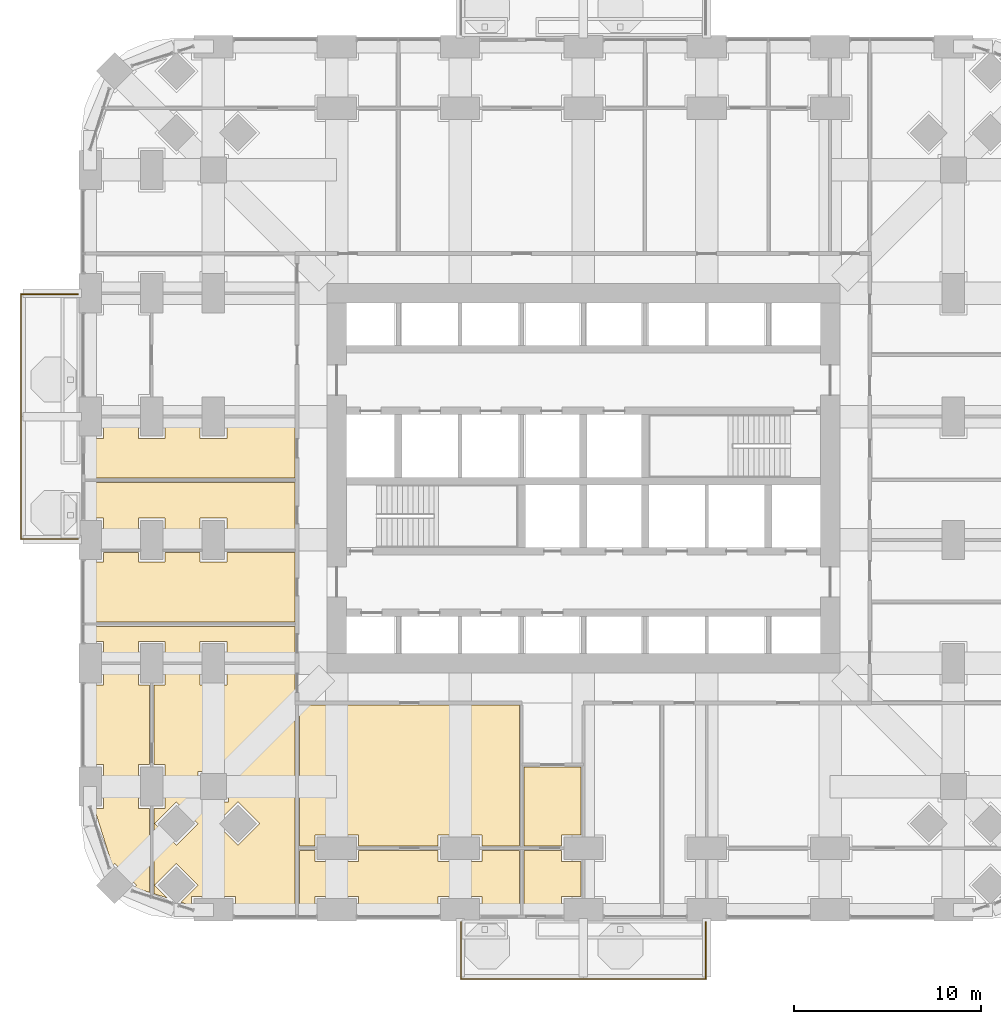
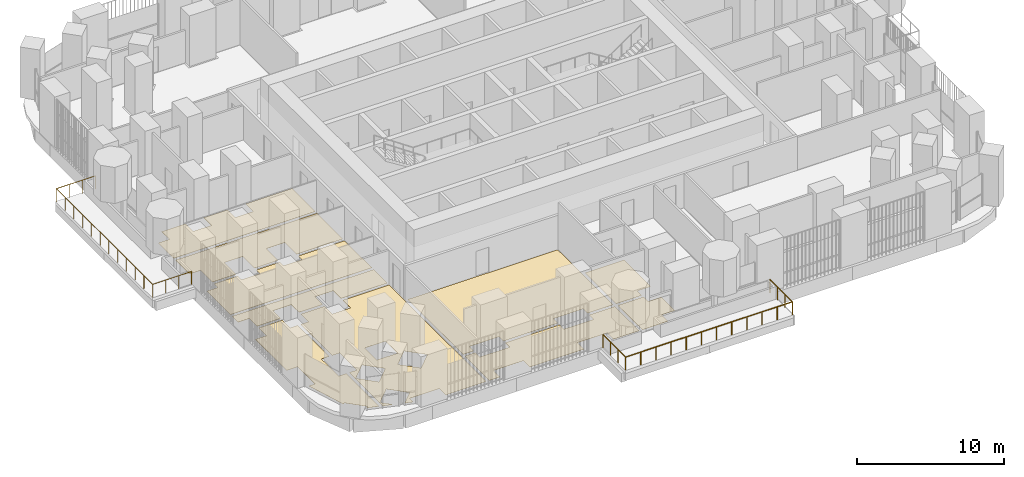
# One storey, part 22 of 26: 10 coverings, 2 railings.
"""IFC4 building model written with IfcOpenShell, lengths in metres."""

from ifc_helpers import new_model, si_unit, direction, frame, origin, place, context, subcontext, project, spatial, polyline, outline, extrude, material, layer, layer_set, type_object, element, save


model = new_model("IFC4")

# Units and contexts
model_context = context("Model", 3, precision=1e-05, world=origin(), true_north=direction((0.0, 1.0)))
body_context = subcontext(model_context, "Body", "Model", "MODEL_VIEW")
ifc_project = project(units=[si_unit("LENGTHUNIT", "METRE"), si_unit("AREAUNIT", "SQUARE_METRE"), si_unit("VOLUMEUNIT", "CUBIC_METRE"), si_unit("PLANEANGLEUNIT", "RADIAN"), si_unit("MASSUNIT", "GRAM", prefix="KILO")], contexts=[model_context])

# Site, building, storey
site_placement = place(None, origin())
site = spatial("IfcSite", under=ifc_project, at=site_placement, CompositionType="ELEMENT")
building_placement = place(site_placement, origin())
building = spatial("IfcBuilding", under=site, at=building_placement, Name="Cobogo Forest Laboratory Tower", CompositionType="ELEMENT")
storey_placement = place(building_placement, frame((0.0, 0.0, 50.699951171875)))
storey = spatial("IfcBuildingStorey", under=building, at=storey_placement, Name="L11", CompositionType="ELEMENT", Elevation=50.699951171875)

# Railings
ifc_material_1 = material(Name="Laminated glass balustrade", Category="glass")
railing_type = type_object("IfcRailingType", Name="BG1 glass balustrade 1100", PredefinedType="GUARDRAIL", material=ifc_material_1)
railing_1_placement = place(storey_placement, frame((19.85009765625, -0.64990234375, 0.0)))
element("IfcRailing", 1, at=railing_1_placement, inside=storey, type_object=railing_type, Name="Balcony balustrade BAL-S1 L11", PredefinedType="GUARDRAIL", context=body_context, shape_type="SweptSolid", body=[
    extrude(outline(polyline([(0.022216796875, 0.00927734375), (0.00927734375, 0.022216796875), (-0.00927734375, 0.022216796875), (-0.022216796875, 0.00927734375), (-0.022216796875, -0.00927734375), (-0.00927734375, -0.022216796875), (0.00927734375, -0.022216796875), (0.022216796875, -0.00927734375), (0.022216796875, 0.00927734375)])), frame((0.0, 0.0, 1.077880859375), z_axis=(0.0, -1.0, 0.0), x_axis=(1.0, 0.0, 0.0)), (0.0, 0.0, 1.0), 3.050048828125),
    extrude(outline(polyline([(0.022216796875, 0.00927734375), (0.00927734375, 0.022216796875), (-0.00927734375, 0.022216796875), (-0.022216796875, 0.00927734375), (-0.022216796875, -0.00927734375), (-0.00927734375, -0.022216796875), (0.00927734375, -0.022216796875), (0.022216796875, -0.00927734375), (0.022216796875, 0.00927734375)])), frame((0.0, -3.050048828125, 1.077880859375), z_axis=(1.0, 0.0, 0.0), x_axis=(0.0, 1.0, 0.0)), (0.0, 0.0, 1.0), 13.099853515625),
    extrude(outline(polyline([(0.022216796875, 0.00927734375), (0.00927734375, 0.022216796875), (-0.00927734375, 0.022216796875), (-0.022216796875, 0.00927734375), (-0.022216796875, -0.00927734375), (-0.00927734375, -0.022216796875), (0.00927734375, -0.022216796875), (0.022216796875, -0.00927734375), (0.022216796875, 0.00927734375)])), frame((13.099853515625, -3.050048828125, 1.077880859375), z_axis=(0.0, 1.0, 0.0), x_axis=(-1.0, 0.0, 0.0)), (0.0, 0.0, 1.0), 3.050048828125),
    extrude(outline(polyline([(0.019287109375, 0.008056640625), (0.008056640625, 0.019287109375), (-0.008056640625, 0.019287109375), (-0.019287109375, 0.008056640625), (-0.019287109375, -0.008056640625), (-0.008056640625, -0.019287109375), (0.008056640625, -0.019287109375), (0.019287109375, -0.008056640625), (0.019287109375, 0.008056640625)])), origin(), (0.0, 0.0, 1.0), 1.077880859375),
    extrude(outline(polyline([(0.019287109375, 0.008056640625), (0.008056640625, 0.019287109375), (-0.008056640625, 0.019287109375), (-0.019287109375, 0.008056640625), (-0.019287109375, -0.008056640625), (-0.008056640625, -0.019287109375), (0.008056640625, -0.019287109375), (0.019287109375, -0.008056640625), (0.019287109375, 0.008056640625)])), frame((0.0, -1.0166015625, 0.0)), (0.0, 0.0, 1.0), 1.077880859375),
    extrude(outline(polyline([(0.019287109375, 0.008056640625), (0.008056640625, 0.019287109375), (-0.008056640625, 0.019287109375), (-0.019287109375, 0.008056640625), (-0.019287109375, -0.008056640625), (-0.008056640625, -0.019287109375), (0.008056640625, -0.019287109375), (0.019287109375, -0.008056640625), (0.019287109375, 0.008056640625)])), frame((0.0, -2.033447265625, 0.0)), (0.0, 0.0, 1.0), 1.077880859375),
    extrude(outline(polyline([(0.019287109375, 0.008056640625), (0.008056640625, 0.019287109375), (-0.008056640625, 0.019287109375), (-0.019287109375, 0.008056640625), (-0.019287109375, -0.008056640625), (-0.008056640625, -0.019287109375), (0.008056640625, -0.019287109375), (0.019287109375, -0.008056640625), (0.019287109375, 0.008056640625)])), frame((0.0, -3.050048828125, 0.0)), (0.0, 0.0, 1.0), 1.077880859375),
    extrude(outline(polyline([(0.019287109375, 0.008056640625), (0.008056640625, 0.019287109375), (-0.008056640625, 0.019287109375), (-0.019287109375, 0.008056640625), (-0.019287109375, -0.008056640625), (-0.008056640625, -0.019287109375), (0.008056640625, -0.019287109375), (0.019287109375, -0.008056640625), (0.019287109375, 0.008056640625)])), frame((1.19091796875, -3.050048828125, 0.0)), (0.0, 0.0, 1.0), 1.077880859375),
    extrude(outline(polyline([(0.019287109375, 0.008056640625), (0.008056640625, 0.019287109375), (-0.008056640625, 0.019287109375), (-0.019287109375, 0.008056640625), (-0.019287109375, -0.008056640625), (-0.008056640625, -0.019287109375), (0.008056640625, -0.019287109375), (0.019287109375, -0.008056640625), (0.019287109375, 0.008056640625)])), frame((2.3818359375, -3.050048828125, 0.0)), (0.0, 0.0, 1.0), 1.077880859375),
    extrude(outline(polyline([(0.019287109375, 0.008056640625), (0.008056640625, 0.019287109375), (-0.008056640625, 0.019287109375), (-0.019287109375, 0.008056640625), (-0.019287109375, -0.008056640625), (-0.008056640625, -0.019287109375), (0.008056640625, -0.019287109375), (0.019287109375, -0.008056640625), (0.019287109375, 0.008056640625)])), frame((3.57275390625, -3.050048828125, 0.0)), (0.0, 0.0, 1.0), 1.077880859375),
    extrude(outline(polyline([(0.019287109375, 0.008056640625), (0.008056640625, 0.019287109375), (-0.008056640625, 0.019287109375), (-0.019287109375, 0.008056640625), (-0.019287109375, -0.008056640625), (-0.008056640625, -0.019287109375), (0.008056640625, -0.019287109375), (0.019287109375, -0.008056640625), (0.019287109375, 0.008056640625)])), frame((4.763671875, -3.050048828125, 0.0)), (0.0, 0.0, 1.0), 1.077880859375),
    extrude(outline(polyline([(0.019287109375, 0.008056640625), (0.008056640625, 0.019287109375), (-0.008056640625, 0.019287109375), (-0.019287109375, 0.008056640625), (-0.019287109375, -0.008056640625), (-0.008056640625, -0.019287109375), (0.008056640625, -0.019287109375), (0.019287109375, -0.008056640625), (0.019287109375, 0.008056640625)])), frame((5.95458984375, -3.050048828125, 0.0)), (0.0, 0.0, 1.0), 1.077880859375),
    extrude(outline(polyline([(0.019287109375, 0.008056640625), (0.008056640625, 0.019287109375), (-0.008056640625, 0.019287109375), (-0.019287109375, 0.008056640625), (-0.019287109375, -0.008056640625), (-0.008056640625, -0.019287109375), (0.008056640625, -0.019287109375), (0.019287109375, -0.008056640625), (0.019287109375, 0.008056640625)])), frame((7.145263671875, -3.050048828125, 0.0)), (0.0, 0.0, 1.0), 1.077880859375),
    extrude(outline(polyline([(0.019287109375, 0.008056640625), (0.008056640625, 0.019287109375), (-0.008056640625, 0.019287109375), (-0.019287109375, 0.008056640625), (-0.019287109375, -0.008056640625), (-0.008056640625, -0.019287109375), (0.008056640625, -0.019287109375), (0.019287109375, -0.008056640625), (0.019287109375, 0.008056640625)])), frame((8.336181640625, -3.050048828125, 0.0)), (0.0, 0.0, 1.0), 1.077880859375),
    extrude(outline(polyline([(0.019287109375, 0.008056640625), (0.008056640625, 0.019287109375), (-0.008056640625, 0.019287109375), (-0.019287109375, 0.008056640625), (-0.019287109375, -0.008056640625), (-0.008056640625, -0.019287109375), (0.008056640625, -0.019287109375), (0.019287109375, -0.008056640625), (0.019287109375, 0.008056640625)])), frame((9.527099609375, -3.050048828125, 0.0)), (0.0, 0.0, 1.0), 1.077880859375),
    extrude(outline(polyline([(0.019287109375, 0.008056640625), (0.008056640625, 0.019287109375), (-0.008056640625, 0.019287109375), (-0.019287109375, 0.008056640625), (-0.019287109375, -0.008056640625), (-0.008056640625, -0.019287109375), (0.008056640625, -0.019287109375), (0.019287109375, -0.008056640625), (0.019287109375, 0.008056640625)])), frame((10.718017578125, -3.050048828125, 0.0)), (0.0, 0.0, 1.0), 1.077880859375),
    extrude(outline(polyline([(0.019287109375, 0.008056640625), (0.008056640625, 0.019287109375), (-0.008056640625, 0.019287109375), (-0.019287109375, 0.008056640625), (-0.019287109375, -0.008056640625), (-0.008056640625, -0.019287109375), (0.008056640625, -0.019287109375), (0.019287109375, -0.008056640625), (0.019287109375, 0.008056640625)])), frame((11.908935546875, -3.050048828125, 0.0)), (0.0, 0.0, 1.0), 1.077880859375),
    extrude(outline(polyline([(0.019287109375, 0.008056640625), (0.008056640625, 0.019287109375), (-0.008056640625, 0.019287109375), (-0.019287109375, 0.008056640625), (-0.019287109375, -0.008056640625), (-0.008056640625, -0.019287109375), (0.008056640625, -0.019287109375), (0.019287109375, -0.008056640625), (0.019287109375, 0.008056640625)])), frame((13.099853515625, -3.050048828125, 0.0)), (0.0, 0.0, 1.0), 1.077880859375),
    extrude(outline(polyline([(0.019287109375, 0.008056640625), (0.008056640625, 0.019287109375), (-0.008056640625, 0.019287109375), (-0.019287109375, 0.008056640625), (-0.019287109375, -0.008056640625), (-0.008056640625, -0.019287109375), (0.008056640625, -0.019287109375), (0.019287109375, -0.008056640625), (0.019287109375, 0.008056640625)])), frame((13.099853515625, -2.033447265625, 0.0)), (0.0, 0.0, 1.0), 1.077880859375),
    extrude(outline(polyline([(0.019287109375, 0.008056640625), (0.008056640625, 0.019287109375), (-0.008056640625, 0.019287109375), (-0.019287109375, 0.008056640625), (-0.019287109375, -0.008056640625), (-0.008056640625, -0.019287109375), (0.008056640625, -0.019287109375), (0.019287109375, -0.008056640625), (0.019287109375, 0.008056640625)])), frame((13.099853515625, -1.0166015625, 0.0)), (0.0, 0.0, 1.0), 1.077880859375),
    extrude(outline(polyline([(0.019287109375, 0.008056640625), (0.008056640625, 0.019287109375), (-0.008056640625, 0.019287109375), (-0.019287109375, 0.008056640625), (-0.019287109375, -0.008056640625), (-0.008056640625, -0.019287109375), (0.008056640625, -0.019287109375), (0.019287109375, -0.008056640625), (0.019287109375, 0.008056640625)])), frame((13.099853515625, 0.0, 0.0)), (0.0, 0.0, 1.0), 1.077880859375),
])
railing_2_placement = place(storey_placement, frame((-0.64990234375, 19.85009765625, 0.0)))
element("IfcRailing", 2, at=railing_2_placement, inside=storey, type_object=railing_type, Name="Balcony balustrade BAL-W1 L11", PredefinedType="GUARDRAIL", context=body_context, shape_type="SweptSolid", body=[
    extrude(outline(polyline([(0.022216796875, 0.00927734375), (0.00927734375, 0.022216796875), (-0.00927734375, 0.022216796875), (-0.022216796875, 0.00927734375), (-0.022216796875, -0.00927734375), (-0.00927734375, -0.022216796875), (0.00927734375, -0.022216796875), (0.022216796875, -0.00927734375), (0.022216796875, 0.00927734375)])), frame((0.0, 0.0, 1.077880859375), z_axis=(-1.0, 0.0, 0.0), x_axis=(0.0, -1.0, 0.0)), (0.0, 0.0, 1.0), 3.050048828125),
    extrude(outline(polyline([(0.022216796875, 0.00927734375), (0.00927734375, 0.022216796875), (-0.00927734375, 0.022216796875), (-0.022216796875, 0.00927734375), (-0.022216796875, -0.00927734375), (-0.00927734375, -0.022216796875), (0.00927734375, -0.022216796875), (0.022216796875, -0.00927734375), (0.022216796875, 0.00927734375)])), frame((-3.050048828125, 0.0, 1.077880859375), z_axis=(0.0, 1.0, 0.0), x_axis=(-1.0, 0.0, 0.0)), (0.0, 0.0, 1.0), 13.099853515625),
    extrude(outline(polyline([(0.022216796875, 0.00927734375), (0.00927734375, 0.022216796875), (-0.00927734375, 0.022216796875), (-0.022216796875, 0.00927734375), (-0.022216796875, -0.00927734375), (-0.00927734375, -0.022216796875), (0.00927734375, -0.022216796875), (0.022216796875, -0.00927734375), (0.022216796875, 0.00927734375)])), frame((-3.050048828125, 13.099853515625, 1.077880859375), z_axis=(1.0, 0.0, 0.0), x_axis=(0.0, 1.0, 0.0)), (0.0, 0.0, 1.0), 3.050048828125),
    extrude(outline(polyline([(0.019287109375, 0.008056640625), (0.008056640625, 0.019287109375), (-0.008056640625, 0.019287109375), (-0.019287109375, 0.008056640625), (-0.019287109375, -0.008056640625), (-0.008056640625, -0.019287109375), (0.008056640625, -0.019287109375), (0.019287109375, -0.008056640625), (0.019287109375, 0.008056640625)])), origin(), (0.0, 0.0, 1.0), 1.077880859375),
    extrude(outline(polyline([(0.019287109375, 0.008056640625), (0.008056640625, 0.019287109375), (-0.008056640625, 0.019287109375), (-0.019287109375, 0.008056640625), (-0.019287109375, -0.008056640625), (-0.008056640625, -0.019287109375), (0.008056640625, -0.019287109375), (0.019287109375, -0.008056640625), (0.019287109375, 0.008056640625)])), frame((-1.0166015625, 0.0, 0.0)), (0.0, 0.0, 1.0), 1.077880859375),
    extrude(outline(polyline([(0.019287109375, 0.008056640625), (0.008056640625, 0.019287109375), (-0.008056640625, 0.019287109375), (-0.019287109375, 0.008056640625), (-0.019287109375, -0.008056640625), (-0.008056640625, -0.019287109375), (0.008056640625, -0.019287109375), (0.019287109375, -0.008056640625), (0.019287109375, 0.008056640625)])), frame((-2.033447265625, 0.0, 0.0)), (0.0, 0.0, 1.0), 1.077880859375),
    extrude(outline(polyline([(0.019287109375, 0.008056640625), (0.008056640625, 0.019287109375), (-0.008056640625, 0.019287109375), (-0.019287109375, 0.008056640625), (-0.019287109375, -0.008056640625), (-0.008056640625, -0.019287109375), (0.008056640625, -0.019287109375), (0.019287109375, -0.008056640625), (0.019287109375, 0.008056640625)])), frame((-3.050048828125, 0.0, 0.0)), (0.0, 0.0, 1.0), 1.077880859375),
    extrude(outline(polyline([(0.019287109375, 0.008056640625), (0.008056640625, 0.019287109375), (-0.008056640625, 0.019287109375), (-0.019287109375, 0.008056640625), (-0.019287109375, -0.008056640625), (-0.008056640625, -0.019287109375), (0.008056640625, -0.019287109375), (0.019287109375, -0.008056640625), (0.019287109375, 0.008056640625)])), frame((-3.050048828125, 1.19091796875, 0.0)), (0.0, 0.0, 1.0), 1.077880859375),
    extrude(outline(polyline([(0.019287109375, 0.008056640625), (0.008056640625, 0.019287109375), (-0.008056640625, 0.019287109375), (-0.019287109375, 0.008056640625), (-0.019287109375, -0.008056640625), (-0.008056640625, -0.019287109375), (0.008056640625, -0.019287109375), (0.019287109375, -0.008056640625), (0.019287109375, 0.008056640625)])), frame((-3.050048828125, 2.3818359375, 0.0)), (0.0, 0.0, 1.0), 1.077880859375),
    extrude(outline(polyline([(0.019287109375, 0.008056640625), (0.008056640625, 0.019287109375), (-0.008056640625, 0.019287109375), (-0.019287109375, 0.008056640625), (-0.019287109375, -0.008056640625), (-0.008056640625, -0.019287109375), (0.008056640625, -0.019287109375), (0.019287109375, -0.008056640625), (0.019287109375, 0.008056640625)])), frame((-3.050048828125, 3.57275390625, 0.0)), (0.0, 0.0, 1.0), 1.077880859375),
    extrude(outline(polyline([(0.019287109375, 0.008056640625), (0.008056640625, 0.019287109375), (-0.008056640625, 0.019287109375), (-0.019287109375, 0.008056640625), (-0.019287109375, -0.008056640625), (-0.008056640625, -0.019287109375), (0.008056640625, -0.019287109375), (0.019287109375, -0.008056640625), (0.019287109375, 0.008056640625)])), frame((-3.050048828125, 4.763671875, 0.0)), (0.0, 0.0, 1.0), 1.077880859375),
    extrude(outline(polyline([(0.019287109375, 0.008056640625), (0.008056640625, 0.019287109375), (-0.008056640625, 0.019287109375), (-0.019287109375, 0.008056640625), (-0.019287109375, -0.008056640625), (-0.008056640625, -0.019287109375), (0.008056640625, -0.019287109375), (0.019287109375, -0.008056640625), (0.019287109375, 0.008056640625)])), frame((-3.050048828125, 5.95458984375, 0.0)), (0.0, 0.0, 1.0), 1.077880859375),
    extrude(outline(polyline([(0.019287109375, 0.008056640625), (0.008056640625, 0.019287109375), (-0.008056640625, 0.019287109375), (-0.019287109375, 0.008056640625), (-0.019287109375, -0.008056640625), (-0.008056640625, -0.019287109375), (0.008056640625, -0.019287109375), (0.019287109375, -0.008056640625), (0.019287109375, 0.008056640625)])), frame((-3.050048828125, 7.145263671875, 0.0)), (0.0, 0.0, 1.0), 1.077880859375),
    extrude(outline(polyline([(0.019287109375, 0.008056640625), (0.008056640625, 0.019287109375), (-0.008056640625, 0.019287109375), (-0.019287109375, 0.008056640625), (-0.019287109375, -0.008056640625), (-0.008056640625, -0.019287109375), (0.008056640625, -0.019287109375), (0.019287109375, -0.008056640625), (0.019287109375, 0.008056640625)])), frame((-3.050048828125, 8.336181640625, 0.0)), (0.0, 0.0, 1.0), 1.077880859375),
    extrude(outline(polyline([(0.019287109375, 0.008056640625), (0.008056640625, 0.019287109375), (-0.008056640625, 0.019287109375), (-0.019287109375, 0.008056640625), (-0.019287109375, -0.008056640625), (-0.008056640625, -0.019287109375), (0.008056640625, -0.019287109375), (0.019287109375, -0.008056640625), (0.019287109375, 0.008056640625)])), frame((-3.050048828125, 9.527099609375, 0.0)), (0.0, 0.0, 1.0), 1.077880859375),
    extrude(outline(polyline([(0.019287109375, 0.008056640625), (0.008056640625, 0.019287109375), (-0.008056640625, 0.019287109375), (-0.019287109375, 0.008056640625), (-0.019287109375, -0.008056640625), (-0.008056640625, -0.019287109375), (0.008056640625, -0.019287109375), (0.019287109375, -0.008056640625), (0.019287109375, 0.008056640625)])), frame((-3.050048828125, 10.718017578125, 0.0)), (0.0, 0.0, 1.0), 1.077880859375),
    extrude(outline(polyline([(0.019287109375, 0.008056640625), (0.008056640625, 0.019287109375), (-0.008056640625, 0.019287109375), (-0.019287109375, 0.008056640625), (-0.019287109375, -0.008056640625), (-0.008056640625, -0.019287109375), (0.008056640625, -0.019287109375), (0.019287109375, -0.008056640625), (0.019287109375, 0.008056640625)])), frame((-3.050048828125, 11.908935546875, 0.0)), (0.0, 0.0, 1.0), 1.077880859375),
    extrude(outline(polyline([(0.019287109375, 0.008056640625), (0.008056640625, 0.019287109375), (-0.008056640625, 0.019287109375), (-0.019287109375, 0.008056640625), (-0.019287109375, -0.008056640625), (-0.008056640625, -0.019287109375), (0.008056640625, -0.019287109375), (0.019287109375, -0.008056640625), (0.019287109375, 0.008056640625)])), frame((-3.050048828125, 13.099853515625, 0.0)), (0.0, 0.0, 1.0), 1.077880859375),
    extrude(outline(polyline([(0.019287109375, 0.008056640625), (0.008056640625, 0.019287109375), (-0.008056640625, 0.019287109375), (-0.019287109375, 0.008056640625), (-0.019287109375, -0.008056640625), (-0.008056640625, -0.019287109375), (0.008056640625, -0.019287109375), (0.019287109375, -0.008056640625), (0.019287109375, 0.008056640625)])), frame((-2.033447265625, 13.099853515625, 0.0)), (0.0, 0.0, 1.0), 1.077880859375),
    extrude(outline(polyline([(0.019287109375, 0.008056640625), (0.008056640625, 0.019287109375), (-0.008056640625, 0.019287109375), (-0.019287109375, 0.008056640625), (-0.019287109375, -0.008056640625), (-0.008056640625, -0.019287109375), (0.008056640625, -0.019287109375), (0.019287109375, -0.008056640625), (0.019287109375, 0.008056640625)])), frame((-1.0166015625, 13.099853515625, 0.0)), (0.0, 0.0, 1.0), 1.077880859375),
    extrude(outline(polyline([(0.019287109375, 0.008056640625), (0.008056640625, 0.019287109375), (-0.008056640625, 0.019287109375), (-0.019287109375, 0.008056640625), (-0.019287109375, -0.008056640625), (-0.008056640625, -0.019287109375), (0.008056640625, -0.019287109375), (0.019287109375, -0.008056640625), (0.019287109375, 0.008056640625)])), frame((0.0, 13.099853515625, 0.0)), (0.0, 0.0, 1.0), 1.077880859375),
])

# Coverings
ifc_material_2 = material(Name="Carpet tile on raised access floor", Category="flooring")
ifc_layer_1 = layer(ifc_material_2, 0.008056640625)
ifc_layer_set_1 = layer_set([ifc_layer_1], Name="CT1 carpet tile floor 8")
covering_type_1 = type_object("IfcCoveringType", Name="CT1 carpet tile floor 8", PredefinedType="FLOORING", material=ifc_layer_set_1)
covering_1_placement = place(storey_placement, origin())
element("IfcCovering", 3, at=covering_1_placement, inside=storey, type_object=covering_type_1, Name="Carpet floor L11-02", PredefinedType="FLOORING", context=body_context, shape_type="SweptSolid", body=[
    extrude(outline(polyline([(12.030029296875, 3.179931640625), (12.030029296875, 2.580078125), (14.3701171875, 2.580078125), (14.3701171875, 3.179931640625), (18.6298828125, 3.179931640625), (18.6298828125, 2.580078125), (20.969970703125, 2.580078125), (20.969970703125, 3.179931640625), (22.97998046875, 3.179931640625), (22.97998046875, -0.14990234375), (20.969970703125, -0.14990234375), (20.969970703125, 0.719970703125), (18.6298828125, 0.719970703125), (18.6298828125, -0.14990234375), (14.3701171875, -0.14990234375), (14.3701171875, 0.719970703125), (12.030029296875, 0.719970703125), (12.030029296875, -0.14990234375), (11.195068359375, -0.14990234375), (11.195068359375, 3.179931640625), (12.030029296875, 3.179931640625)])), origin(), (0.0, 0.0, 1.0), 0.008056640625),
])
covering_2_placement = place(storey_placement, origin())
element("IfcCovering", 4, at=covering_2_placement, inside=storey, type_object=covering_type_1, Name="Carpet floor L11-04", PredefinedType="FLOORING", context=body_context, shape_type="SweptSolid", body=[
    extrude(outline(polyline([(25.22998046875, 3.179931640625), (25.22998046875, 2.580078125), (26.280029296875, 2.580078125), (26.280029296875, 0.719970703125), (25.22998046875, 0.719970703125), (25.22998046875, -0.14990234375), (23.219970703125, -0.14990234375), (23.219970703125, 3.179931640625), (25.22998046875, 3.179931640625)])), origin(), (0.0, 0.0, 1.0), 0.008056640625),
])
covering_3_placement = place(storey_placement, origin())
element("IfcCovering", 5, at=covering_3_placement, inside=storey, type_object=covering_type_1, Name="Carpet floor L11-29", PredefinedType="FLOORING", context=body_context, shape_type="SweptSolid", body=[
    extrude(outline(polyline([(3.179931640625, 7.77001953125), (2.580078125, 7.77001953125), (2.580078125, 5.429931640625), (3.179931640625, 5.429931640625), (3.179931640625, 0.939697265625), (2.358642578125, 1.19921875), (2.477783203125, 1.318115234375), (1.318115234375, 2.477783203125), (1.19921875, 2.358642578125), (0.229248046875, 5.429931640625), (0.719970703125, 5.429931640625), (0.719970703125, 7.77001953125), (-0.14990234375, 7.77001953125), (-0.14990234375, 12.030029296875), (0.719970703125, 12.030029296875), (0.719970703125, 13.080078125), (2.580078125, 13.080078125), (2.580078125, 12.030029296875), (3.179931640625, 12.030029296875), (3.179931640625, 7.77001953125)])), origin(), (0.0, 0.0, 1.0), 0.008056640625),
])
ifc_material_3 = material(Name="Epoxy resin flooring", Category="flooring")
ifc_layer_2 = layer(ifc_material_3, 0.00390625)
ifc_layer_set_2 = layer_set([ifc_layer_2], Name="LF1 epoxy laboratory floor 4")
covering_type_2 = type_object("IfcCoveringType", Name="LF1 epoxy laboratory floor 4", PredefinedType="FLOORING", material=ifc_layer_set_2)
covering_4_placement = place(storey_placement, origin())
element("IfcCovering", 6, at=covering_4_placement, inside=storey, type_object=covering_type_2, Name="Epoxy laboratory floor L11-01", PredefinedType="FLOORING", context=body_context, shape_type="SweptSolid", body=[
    extrude(outline(polyline([(11.195068359375, 10.955078125), (22.97998046875, 10.955078125), (22.97998046875, 3.419921875), (20.969970703125, 3.419921875), (20.969970703125, 4.02001953125), (18.6298828125, 4.02001953125), (18.6298828125, 3.419921875), (14.3701171875, 3.419921875), (14.3701171875, 4.02001953125), (12.030029296875, 4.02001953125), (12.030029296875, 3.419921875), (11.195068359375, 3.419921875), (11.195068359375, 10.955078125)])), origin(), (0.0, 0.0, 1.0), 0.004150390625),
])
covering_5_placement = place(storey_placement, origin())
element("IfcCovering", 7, at=covering_5_placement, inside=storey, type_object=covering_type_2, Name="Epoxy laboratory floor L11-03", PredefinedType="FLOORING", context=body_context, shape_type="SweptSolid", body=[
    extrude(outline(polyline([(23.219970703125, 7.655029296875), (26.280029296875, 7.655029296875), (26.280029296875, 4.02001953125), (25.22998046875, 4.02001953125), (25.22998046875, 3.419921875), (23.219970703125, 3.419921875), (23.219970703125, 7.655029296875)])), origin(), (0.0, 0.0, 1.0), 0.004150390625),
])
covering_6_placement = place(storey_placement, origin())
element("IfcCovering", 8, at=covering_6_placement, inside=storey, type_object=covering_type_2, Name="Epoxy laboratory floor L11-28", PredefinedType="FLOORING", context=body_context, shape_type="SweptSolid", body=[
    extrude(outline(polyline([(5.8798828125, 13.080078125), (5.8798828125, 12.030029296875), (7.320068359375, 12.030029296875), (7.320068359375, 13.080078125), (10.955078125, 13.080078125), (10.955078125, -0.14990234375), (7.77001953125, -0.14990234375), (7.77001953125, 0.719970703125), (5.429931640625, 0.719970703125), (5.429931640625, 0.229248046875), (4.86669921875, 0.406982421875), (5.777587890625, 1.318115234375), (4.617919921875, 2.477783203125), (3.458251953125, 1.318115234375), (4.1396484375, 0.63671875), (3.419921875, 0.864013671875), (3.419921875, 5.429931640625), (4.02001953125, 5.429931640625), (4.02001953125, 7.77001953125), (3.419921875, 7.77001953125), (3.419921875, 12.030029296875), (4.02001953125, 12.030029296875), (4.02001953125, 13.080078125), (5.8798828125, 13.080078125)]), holes=[polyline([(7.91796875, 5.777587890625), (6.75830078125, 4.617919921875), (7.91796875, 3.458251953125), (9.07763671875, 4.617919921875), (7.91796875, 5.777587890625)]), polyline([(5.780029296875, 7.419921875), (5.780029296875, 5.780029296875), (7.419921875, 5.780029296875), (7.419921875, 7.419921875), (5.780029296875, 7.419921875)]), polyline([(3.458251953125, 4.617919921875), (4.617919921875, 3.458251953125), (5.777587890625, 4.617919921875), (4.617919921875, 5.777587890625), (3.458251953125, 4.617919921875)])]), origin(), (0.0, 0.0, 1.0), 0.004150390625),
])
ifc_material_4 = material(Name="Ceramic floor tile", Category="flooring")
ifc_layer_3 = layer(ifc_material_4, 0.010009765625)
ifc_layer_set_3 = layer_set([ifc_layer_3], Name="TF1 ceramic tile floor 10")
covering_type_3 = type_object("IfcCoveringType", Name="TF1 ceramic tile floor 10", PredefinedType="FLOORING", material=ifc_layer_set_3)
covering_7_placement = place(storey_placement, origin())
element("IfcCovering", 9, at=covering_7_placement, inside=storey, type_object=covering_type_3, Name="Tile floor L11-30", PredefinedType="FLOORING", context=body_context, shape_type="SweptSolid", body=[
    extrude(outline(polyline([(10.955078125, 13.320068359375), (7.320068359375, 13.320068359375), (7.320068359375, 14.3701171875), (5.8798828125, 14.3701171875), (5.8798828125, 13.320068359375), (4.02001953125, 13.320068359375), (4.02001953125, 14.3701171875), (2.580078125, 14.3701171875), (2.580078125, 13.320068359375), (0.719970703125, 13.320068359375), (0.719970703125, 14.3701171875), (-0.14990234375, 14.3701171875), (-0.14990234375, 15.179931640625), (10.955078125, 15.179931640625), (10.955078125, 13.320068359375)])), origin(), (0.0, 0.0, 1.0), 0.010009765625),
])
covering_8_placement = place(storey_placement, origin())
element("IfcCovering", 10, at=covering_8_placement, inside=storey, type_object=covering_type_3, Name="Tile floor L11-31", PredefinedType="FLOORING", context=body_context, shape_type="SweptSolid", body=[
    extrude(outline(polyline([(10.955078125, 15.419921875), (-0.14990234375, 15.419921875), (-0.14990234375, 18.6298828125), (0.719970703125, 18.6298828125), (0.719970703125, 19.1298828125), (2.580078125, 19.1298828125), (2.580078125, 18.6298828125), (4.02001953125, 18.6298828125), (4.02001953125, 19.1298828125), (5.8798828125, 19.1298828125), (5.8798828125, 18.6298828125), (7.320068359375, 18.6298828125), (7.320068359375, 19.1298828125), (10.955078125, 19.1298828125), (10.955078125, 15.419921875)])), origin(), (0.0, 0.0, 1.0), 0.010009765625),
])
covering_9_placement = place(storey_placement, origin())
element("IfcCovering", 11, at=covering_9_placement, inside=storey, type_object=covering_type_3, Name="Tile floor L11-32", PredefinedType="FLOORING", context=body_context, shape_type="SweptSolid", body=[
    extrude(outline(polyline([(10.955078125, 19.3701171875), (7.320068359375, 19.3701171875), (7.320068359375, 20.969970703125), (5.8798828125, 20.969970703125), (5.8798828125, 19.3701171875), (4.02001953125, 19.3701171875), (4.02001953125, 20.969970703125), (2.580078125, 20.969970703125), (2.580078125, 19.3701171875), (0.719970703125, 19.3701171875), (0.719970703125, 20.969970703125), (-0.14990234375, 20.969970703125), (-0.14990234375, 22.8798828125), (10.955078125, 22.8798828125), (10.955078125, 19.3701171875)])), origin(), (0.0, 0.0, 1.0), 0.010009765625),
])
covering_10_placement = place(storey_placement, origin())
element("IfcCovering", 12, at=covering_10_placement, inside=storey, type_object=covering_type_3, Name="Tile floor L11-33", PredefinedType="FLOORING", context=body_context, shape_type="SweptSolid", body=[
    extrude(outline(polyline([(10.955078125, 23.1201171875), (-0.14990234375, 23.1201171875), (-0.14990234375, 25.22998046875), (0.719970703125, 25.22998046875), (0.719970703125, 26.280029296875), (2.580078125, 26.280029296875), (2.580078125, 25.22998046875), (4.02001953125, 25.22998046875), (4.02001953125, 26.280029296875), (5.8798828125, 26.280029296875), (5.8798828125, 25.22998046875), (7.320068359375, 25.22998046875), (7.320068359375, 26.280029296875), (10.955078125, 26.280029296875), (10.955078125, 23.1201171875)])), origin(), (0.0, 0.0, 1.0), 0.010009765625),
])

save(model, "model.ifc")
